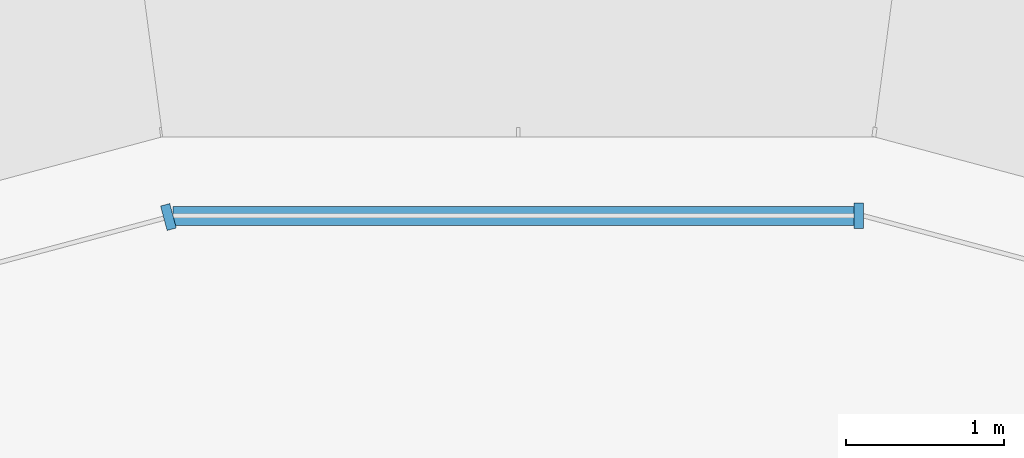
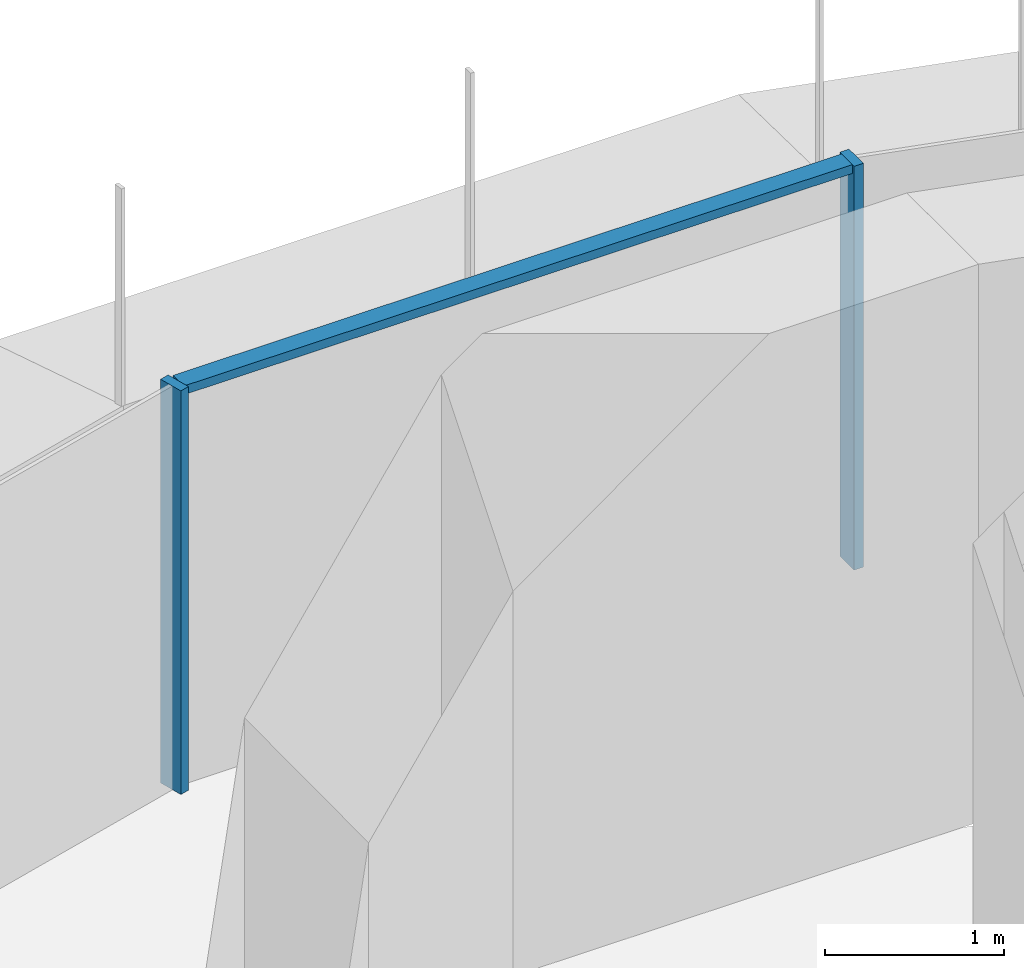
# One storey, part 11 of 21: 3 members, 2 elements without a shape of their own.
"""IFC4 building model written with IfcOpenShell, lengths in metres."""

from ifc_helpers import new_model, si_unit, direction, frame, origin, place, context, subcontext, project, spatial, polyline, outline, extrude, source, transform, mapped, material, type_object, element, aggregate, save


model = new_model("IFC4")

# Units and contexts
model_context = context("Model", 3, precision=1e-05, world=origin(), true_north=direction((0.0, 1.0)))
body_context = subcontext(model_context, "Body", "Model", "MODEL_VIEW")
ifc_project = project(units=[si_unit("LENGTHUNIT", "METRE"), si_unit("AREAUNIT", "SQUARE_METRE"), si_unit("VOLUMEUNIT", "CUBIC_METRE"), si_unit("PLANEANGLEUNIT", "RADIAN"), si_unit("MASSUNIT", "GRAM", prefix="KILO")], contexts=[model_context])

# Site, building, storey
site_placement = place(None, origin())
site = spatial("IfcSite", under=ifc_project, at=site_placement, CompositionType="ELEMENT")
building_placement = place(site_placement, origin())
building = spatial("IfcBuilding", under=site, at=building_placement, Name="Zarbagh Exchange Tower", CompositionType="ELEMENT")
storey_placement = place(building_placement, frame((0.0, 0.0, 117.0)))
storey = spatial("IfcBuildingStorey", under=building, at=storey_placement, Name="L27", CompositionType="ELEMENT", Elevation=117.0)

# Curtain wall, member
ifc_material_1 = material(Name="Anodised aluminium frame and glazing", Category="aluminium")
curtain_wall_type = type_object("IfcCurtainWallType", Name="CWA Ribbon glazing, lower zones", PredefinedType="NOTDEFINED", material=ifc_material_1)
curtain_wall_1_placement = place(storey_placement, origin())
curtain_wall_1 = element("IfcCurtainWall", 1, at=curtain_wall_1_placement, inside=storey, type_object=curtain_wall_type, Name="CWA57 curtain wall", PredefinedType="NOTDEFINED")
ifc_material_2 = material(Name="Anodised aluminium frame", Category="aluminium")
member_type_1 = type_object("IfcMemberType", Name="MUA Mullion, anodised aluminium frame", PredefinedType="MULLION", material=ifc_material_2)
shared_shape_1 = source(origin(), body_context, "Body", "SweptSolid", [
    extrude(outline(polyline([(0.0, -0.080078125), (0.06005859375, -0.080078125), (0.06005859375, 0.080078125), (0.0, 0.080078125), (0.0, -0.080078125)])), origin(), (0.0, 0.0, 1.0), 2.75),
])
placement = place(storey_placement, origin())
member_1 = element("IfcMember", 2, at=placement, type_object=member_type_1, Name="CWA57 mullion 1.1", PredefinedType="MULLION", context=body_context, shape_type="MappedRepresentation", body=[
    mapped(shared_shape_1, transform((2.18408203125, 31.0, 0.0), x_axis=(-1.0, 0.0, 0.0), y_axis=(0.0, -1.0, 0.0), z_axis=(0.0, 0.0, 1.0))),
])

curtain_wall_2_placement = place(storey_placement, origin())
curtain_wall_2 = element("IfcCurtainWall", 3, at=curtain_wall_2_placement, inside=storey, type_object=curtain_wall_type, Name="CWA53 curtain wall", PredefinedType="NOTDEFINED")
member_2 = element("IfcMember", 4, at=placement, type_object=member_type_1, Name="CWA53 mullion 1.1", PredefinedType="MULLION", context=body_context, shape_type="MappedRepresentation", body=[
    mapped(shared_shape_1, transform((-2.18408203125, 31.0, 0.0), x_axis=(-0.965924289636, -0.258824779902, 0.0), y_axis=(0.258824779902, -0.965924289636, 0.0), z_axis=(0.0, 0.0, 1.0))),
])
aggregate(curtain_wall_2, [member_2])

# Member
member_type_2 = type_object("IfcMemberType", Name="TRA Transom, anodised aluminium frame", PredefinedType="USERDEFINED", material=ifc_material_2)
shared_shape_2 = source(origin(), body_context, "Body", "SweptSolid", [
    extrude(outline(polyline([(-0.06005859375, -0.06005859375), (0.0, -0.06005859375), (0.0, 0.06005859375), (-0.06005859375, 0.06005859375), (-0.06005859375, -0.06005859375)])), origin(), (0.0, 0.0, 1.0), 4.308349609375),
])
member_3 = element("IfcMember", 5, at=placement, type_object=member_type_2, Name="CWA57 transom 1.1", ObjectType="TRANSOM", PredefinedType="USERDEFINED", context=body_context, shape_type="MappedRepresentation", body=[
    mapped(shared_shape_2, transform((2.124267578125, 31.0, 2.75), x_axis=(0.0, 0.0, 1.0), y_axis=(0.0, 1.0, 0.0), z_axis=(-1.0, 0.0, 0.0))),
])

aggregate(curtain_wall_1, [member_1, member_3])

save(model, "model.ifc")
